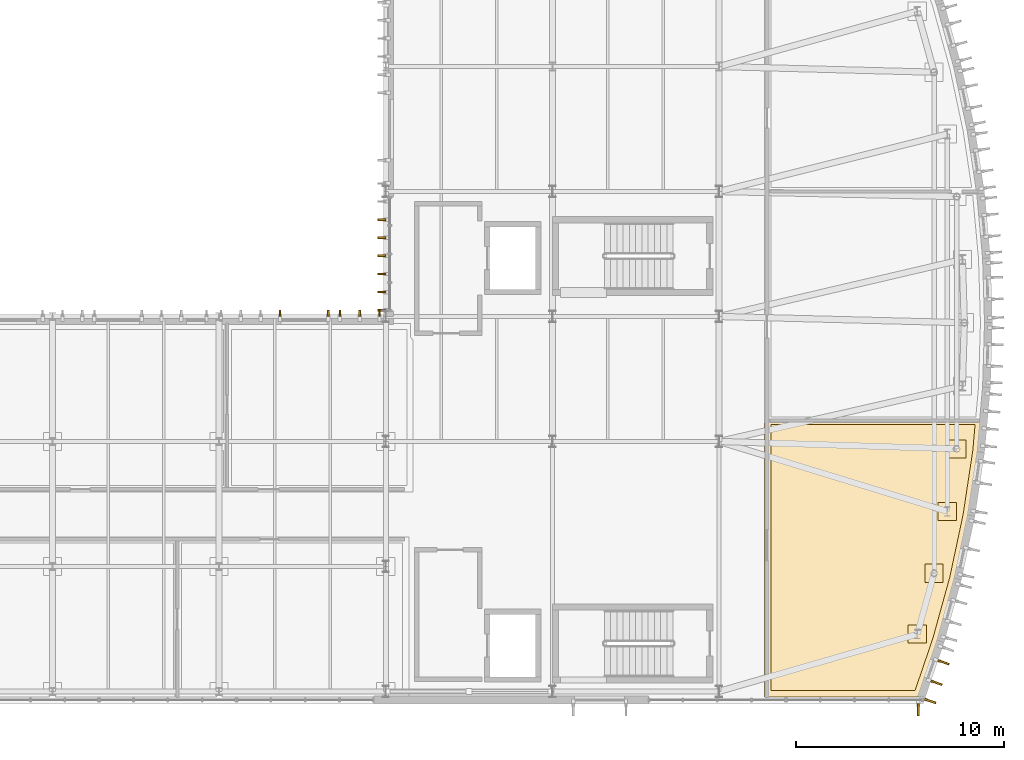
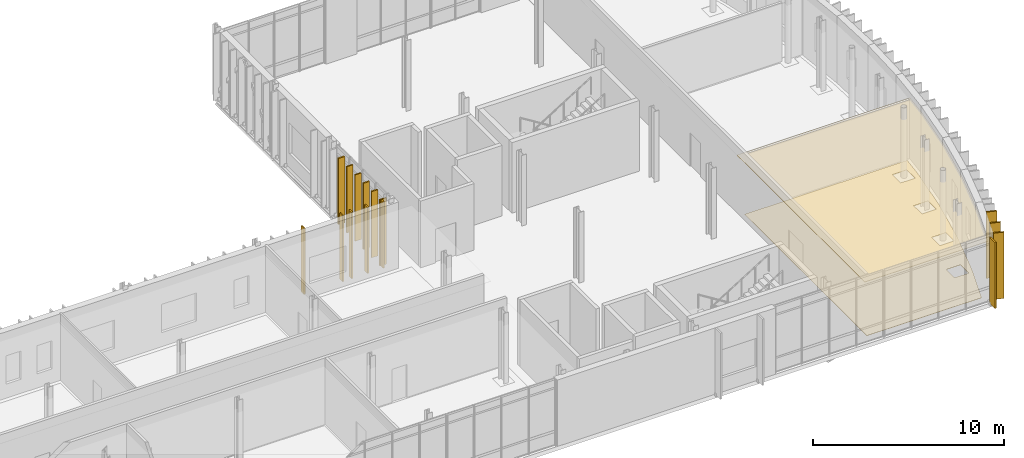
# One storey, part 84 of 86: 17 coverings.
"""IFC4 building model written with IfcOpenShell, lengths in metres."""

from ifc_helpers import new_model, si_unit, direction, frame, origin, origin_2d, place, context, subcontext, project, spatial, polyline, rectangle, outline, extrude, material, layer, layer_set, type_object, element, save


model = new_model("IFC4")

# Units and contexts
model_context = context("Model", 3, precision=1e-05, world=origin(), true_north=direction((0.0, 1.0)))
body_context = subcontext(model_context, "Body", "Model", "MODEL_VIEW")
ifc_project = project(units=[si_unit("LENGTHUNIT", "METRE"), si_unit("AREAUNIT", "SQUARE_METRE"), si_unit("VOLUMEUNIT", "CUBIC_METRE"), si_unit("PLANEANGLEUNIT", "RADIAN"), si_unit("MASSUNIT", "GRAM", prefix="KILO")], contexts=[model_context])

# Site, building, storey
site_placement = place(None, origin())
site = spatial("IfcSite", under=ifc_project, at=site_placement, CompositionType="ELEMENT")
building_placement = place(site_placement, origin())
building = spatial("IfcBuilding", under=site, at=building_placement, Name="Cymarion Research Institute", CompositionType="ELEMENT")
storey_placement = place(building_placement, frame((0.0, 0.0, 13.800048828125)))
storey = spatial("IfcBuildingStorey", under=building, at=storey_placement, Name="L03", CompositionType="ELEMENT", Elevation=13.800048828125)

# Coverings
ifc_material_1 = material(Name="Micro-perforated mineral acoustic ceiling tile", Category="gypsum")
ifc_layer_1 = layer(ifc_material_1, 0.030029296875)
ifc_layer_set_1 = layer_set([ifc_layer_1], Name="Micro-perforated mineral acoustic ceiling tile")
covering_type_1 = type_object("IfcCoveringType", Name="ACOUSTIC MICRO-PERFORATED SUSPENDED CEILING CLG-01", PredefinedType="CEILING", material=ifc_layer_set_1)
covering_1_placement = place(storey_placement, frame((0.0, 0.0, 3.699951171875)))
element("IfcCovering", 1, at=covering_1_placement, inside=storey, type_object=covering_type_1, Name="L03 L03 Curved Prow Wet Synthesis Laboratory acoustic ceiling", PredefinedType="CEILING", context=body_context, shape_type="SweptSolid", body=[
    extrude(outline(polyline([(167.224609375, 18.614990234375), (167.080078125, 17.014404296875), (166.617431640625, 13.94921875), (165.971923828125, 10.91748046875), (165.14599609375, 7.9296875), (164.22412109375, 5.235107421875), (156.784912109375, 5.235107421875), (156.784912109375, 18.614990234375), (167.224609375, 18.614990234375)])), origin(), (0.0, 0.0, 1.0), 0.030029296875),
])
ifc_material_2 = material(Name="Precast concrete C45/55 architectural white", Category="concrete")
ifc_layer_2 = layer(ifc_material_2, 0.090087890625)
ifc_layer_set_2 = layer_set([ifc_layer_2], Name="Precast concrete C45/55 architectural white")
covering_type_2 = type_object("IfcCoveringType", Name="ARCHITECTURAL WHITE PRECAST CONCRETE VERTICAL FIN FIN1 560MM", PredefinedType="CLADDING", material=ifc_layer_set_2)
covering_2_placement = place(storey_placement, frame((164.159912109375, 4.617919921875, 0.009765625), z_axis=(0.0, 0.0, 1.0), x_axis=(0.0, -1.0, 0.0)))
element("IfcCovering", 2, at=covering_2_placement, inside=storey, type_object=covering_type_2, Name="L03 V1 white precast vertical fin FIN1 #319", PredefinedType="CLADDING", context=body_context, shape_type="SweptSolid", body=[
    extrude(rectangle(XDim=0.56005859375, YDim=0.090087890625, at=origin_2d()), origin(), (0.0, 0.0, 1.0), 4.219970703125),
])
for number, where, z_axis, x_axis, name in (
    (3, (164.744384765625, 5.035888671875, 0.010009765625), (0.0, 0.0, 1.0), (0.946141878672, -0.32375229022, 0.0), "L03 V1 white precast vertical fin FIN1 #320"),
    (4, (165.043701171875, 5.91064453125, 0.010009765625), (0.0, 0.0, 1.0), (0.946141878672, -0.32375229022, 0.0), "L03 V1 white precast vertical fin FIN1 #321"),
    (5, (165.380615234375, 6.89453125, 0.010009765625), (0.0, 0.0, 1.0), (0.946141878672, -0.32375229022, 0.0), "L03 V1 white precast vertical fin FIN1 #322"),
):
    element("IfcCovering", number, at=place(storey_placement, frame(where, z_axis=z_axis, x_axis=x_axis)), inside=storey, type_object=covering_type_2, Name=name, PredefinedType="CLADDING", context=body_context, shape_type="SweptSolid", body=[
        extrude(rectangle(XDim=0.56005859375, YDim=0.090087890625, at=origin_2d()), origin(), (0.0, 0.0, 1.0), 4.22998046875),
    ])
ifc_layer_3 = layer(ifc_material_2, 0.0849609375)
ifc_layer_set_3 = layer_set([ifc_layer_3], Name="Precast concrete C45/55 architectural white")
covering_type_3 = type_object("IfcCoveringType", Name="ARCHITECTURAL WHITE PRECAST CONCRETE VERTICAL FIN FIN3 380MM", PredefinedType="CLADDING", material=ifc_layer_set_3)
for number, where, z_axis, x_axis, name in (
    (6, (138.407958984375, 28.14990234375, 0.010009765625), (0.0, 0.0, 1.0), (-1.0, 0.0, 0.0), "L03 V1 white precast vertical fin FIN3 #382"),
    (7, (138.407958984375, 27.280029296875, 0.010009765625), (0.0, 0.0, 1.0), (-1.0, 0.0, 0.0), "L03 V1 white precast vertical fin FIN3 #383"),
    (8, (138.407958984375, 26.409912109375, 0.010009765625), (0.0, 0.0, 1.0), (-1.0, 0.0, 0.0), "L03 V1 white precast vertical fin FIN3 #384"),
    (9, (138.407958984375, 25.5400390625, 0.010009765625), (0.0, 0.0, 1.0), (-1.0, 0.0, 0.0), "L03 V1 white precast vertical fin FIN3 #385"),
    (10, (138.407958984375, 24.669921875, 0.010009765625), (0.0, 0.0, 1.0), (-1.0, 0.0, 0.0), "L03 V1 white precast vertical fin FIN3 #386"),
    (11, (138.407958984375, 23.800048828125, 0.010009765625), (0.0, 0.0, 1.0), (-1.0, 0.0, 0.0), "L03 V1 white precast vertical fin FIN3 #387"),
):
    element("IfcCovering", number, at=place(storey_placement, frame(where, z_axis=z_axis, x_axis=x_axis)), inside=storey, type_object=covering_type_3, Name=name, PredefinedType="CLADDING", context=body_context, shape_type="SweptSolid", body=[
        extrude(rectangle(XDim=0.3798828125, YDim=0.0849609375, at=origin_2d()), origin(), (0.0, 0.0, 1.0), 4.22998046875),
    ])
ifc_layer_4 = layer(ifc_material_2, 0.080078125)
ifc_layer_set_4 = layer_set([ifc_layer_4], Name="Precast concrete C45/55 architectural white")
covering_type_4 = type_object("IfcCoveringType", Name="ARCHITECTURAL WHITE PRECAST CONCRETE VERTICAL FIN FIN4 300MM", PredefinedType="CLADDING", material=ifc_layer_set_4)
for number, where, z_axis, x_axis, name in (
    (12, (138.300048828125, 23.652099609375, 0.009765625), (0.0, 0.0, 1.0), (0.0, 1.0, 0.0), "L03 V1 white precast vertical fin FIN4 #388"),
    (13, (137.3486328125, 23.652099609375, 0.009765625), (0.0, 0.0, 1.0), (0.0, 1.0, 0.0), "L03 V1 white precast vertical fin FIN4 #389"),
    (14, (136.397216796875, 23.652099609375, 0.009765625), (0.0, 0.0, 1.0), (0.0, 1.0, 0.0), "L03 V1 white precast vertical fin FIN4 #390"),
    (15, (135.840087890625, 23.652099609375, 0.009765625), (0.0, 0.0, 1.0), (0.0, 1.0, 0.0), "L03 V1 white precast vertical fin FIN4 #391"),
    (16, (133.52001953125, 23.652099609375, 0.009765625), (0.0, 0.0, 1.0), (0.0, 1.0, 0.0), "L03 V1 white precast vertical fin FIN4 #392"),
):
    element("IfcCovering", number, at=place(storey_placement, frame(where, z_axis=z_axis, x_axis=x_axis)), inside=storey, type_object=covering_type_4, Name=name, PredefinedType="CLADDING", context=body_context, shape_type="SweptSolid", body=[
        extrude(rectangle(XDim=0.300048828125, YDim=0.080078125, at=origin_2d()), origin(), (0.0, 0.0, 1.0), 4.219970703125),
    ])
ifc_material_3 = material(Name="Seamless dissipative epoxy resin flooring", Category="resin")
ifc_layer_5 = layer(ifc_material_3, 0.02001953125)
ifc_layer_set_5 = layer_set([ifc_layer_5], Name="Seamless dissipative epoxy resin flooring")
covering_type_5 = type_object("IfcCoveringType", Name="SEAMLESS ESD EPOXY LABORATORY FLOORING FLR-01", PredefinedType="FLOORING", material=ifc_layer_set_5)
covering_3_placement = place(storey_placement, origin())
element("IfcCovering", 17, at=covering_3_placement, inside=storey, type_object=covering_type_5, Name="L03 L03 Curved Prow Wet Synthesis Laboratory ESD epoxy flooring", PredefinedType="FLOORING", context=body_context, shape_type="SweptSolid", body=[
    extrude(outline(polyline([(157.0849609375, 18.31494140625), (166.896240234375, 18.31494140625), (166.7822265625, 17.05029296875), (166.322021484375, 14.0029296875), (165.680419921875, 10.98876953125), (164.859130859375, 8.018310546875), (164.009521484375, 5.534912109375), (157.0849609375, 5.534912109375), (157.0849609375, 18.31494140625)]), holes=[polyline([(166.447998046875, 17.577880859375), (165.577880859375, 17.577880859375), (165.577880859375, 16.707763671875), (166.447998046875, 16.707763671875), (166.447998046875, 17.577880859375)]), polyline([(165.125, 14.576416015625), (165.125, 13.70654296875), (165.994873046875, 13.70654296875), (165.994873046875, 14.576416015625), (165.125, 14.576416015625)]), polyline([(165.36279296875, 11.607666015625), (164.492919921875, 11.607666015625), (164.492919921875, 10.73779296875), (165.36279296875, 10.73779296875), (165.36279296875, 11.607666015625)]), polyline([(164.553955078125, 8.681884765625), (163.68408203125, 8.681884765625), (163.68408203125, 7.81201171875), (164.553955078125, 7.81201171875), (164.553955078125, 8.681884765625)])]), origin(), (0.0, 0.0, 1.0), 0.02001953125),
])

save(model, "model.ifc")
